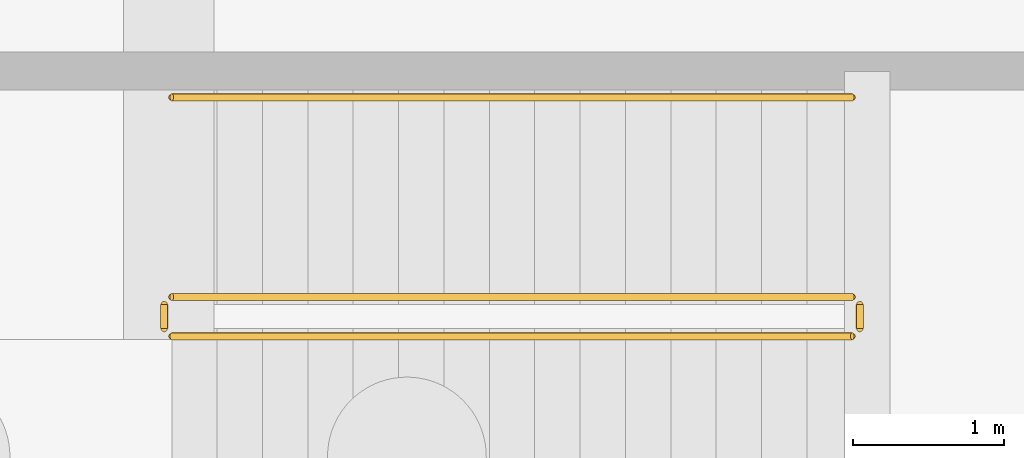
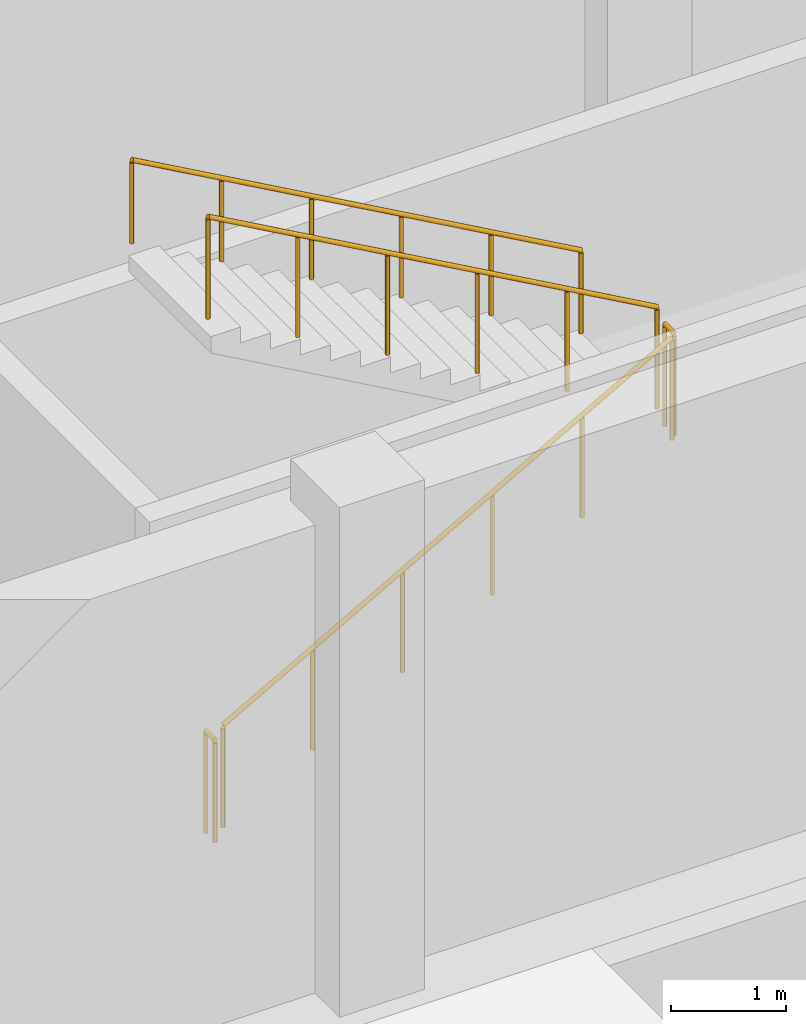
# One storey, part 22 of 23: 5 railings.
"""IFC4 building model written with IfcOpenShell, lengths in metres."""

from ifc_helpers import new_model, si_unit, direction, frame, origin, origin_2d, place, context, subcontext, project, spatial, circle, extrude, material, layer, layer_set, type_object, element, save


model = new_model("IFC4")

# Units and contexts
model_context = context("Model", 3, precision=1e-05, world=origin(), true_north=direction((0.0, 1.0)))
body_context = subcontext(model_context, "Body", "Model", "MODEL_VIEW")
ifc_project = project(units=[si_unit("LENGTHUNIT", "METRE"), si_unit("AREAUNIT", "SQUARE_METRE"), si_unit("VOLUMEUNIT", "CUBIC_METRE"), si_unit("PLANEANGLEUNIT", "RADIAN"), si_unit("MASSUNIT", "GRAM", prefix="KILO")], contexts=[model_context])

# Site, building, storey
site_placement = place(None, origin())
site = spatial("IfcSite", under=ifc_project, at=site_placement, CompositionType="ELEMENT")
building_placement = place(site_placement, origin())
building = spatial("IfcBuilding", under=site, at=building_placement, Name="Dornvale Research Institute", CompositionType="ELEMENT")
storey_placement = place(building_placement, frame((0.0, 0.0, -5.39990234375)))
storey = spatial("IfcBuildingStorey", under=building, at=storey_placement, Name="B1", CompositionType="ELEMENT", Elevation=-5.39990234375)

# Railings
ifc_material_1 = material(Name="Galvanized Painted Tubular Steel Stair Rail", Category="steel")
ifc_layer_1 = layer(ifc_material_1, 0.050048828125)
ifc_layer_set_1 = layer_set([ifc_layer_1], Name="Galvanized Painted Tubular Steel Stair Rail")
railing_type_1 = type_object("IfcRailingType", Name="Railing_Stair_Guard_1100", PredefinedType="GUARDRAIL", material=ifc_layer_set_1)
railing_1_placement = place(storey_placement, frame((165.02001953125, 94.77001953125, 0.168701171875)))
element("IfcRailing", 1, at=railing_1_placement, inside=storey, type_object=railing_type_1, Name="B1 ST-4 stair guard 1", PredefinedType="GUARDRAIL", context=body_context, shape_type="SweptSolid", body=[
    extrude(circle(Radius=0.02392578125, at=origin_2d()), frame((0.0, 0.0, 1.076171875), z_axis=(0.871575537125, 0.0, 0.490261239633), x_axis=(0.0, 1.0, 0.0)), (0.0, 0.0, 1.0), 5.1630859375),
    extrude(circle(Radius=0.02099609375, at=origin_2d()), origin(), (0.0, 0.0, 1.0), 1.052001953125),
    extrude(circle(Radius=0.02099609375, at=origin_2d()), frame((0.89990234375, 0.0, 0.50634765625)), (0.0, 0.0, 1.0), 1.052001953125),
    extrude(circle(Radius=0.02099609375, at=origin_2d()), frame((1.800048828125, 0.0, 1.012451171875)), (0.0, 0.0, 1.0), 1.052001953125),
    extrude(circle(Radius=0.02099609375, at=origin_2d()), frame((2.699951171875, 0.0, 1.518798828125)), (0.0, 0.0, 1.0), 1.052001953125),
    extrude(circle(Radius=0.02099609375, at=origin_2d()), frame((3.60009765625, 0.0, 2.02490234375)), (0.0, 0.0, 1.0), 1.052001953125),
    extrude(circle(Radius=0.02099609375, at=origin_2d()), frame((4.5, 0.0, 2.53125)), (0.0, 0.0, 1.0), 1.052001953125),
])
railing_2_placement = place(storey_placement, frame((169.570068359375, 94.820068359375, 2.699951171875)))
element("IfcRailing", 2, at=railing_2_placement, inside=storey, type_object=railing_type_1, Name="B1 ST-4 stair guard 2", PredefinedType="GUARDRAIL", context=body_context, shape_type="SweptSolid", body=[
    extrude(circle(Radius=0.02392578125, at=origin_2d()), frame((0.0, 0.0, 1.076171875), z_axis=(0.0, 1.0, 0.0), x_axis=(-1.0, 0.0, 0.0)), (0.0, 0.0, 1.0), 0.159912109375),
    extrude(circle(Radius=0.02099609375, at=origin_2d()), origin(), (0.0, 0.0, 1.0), 1.052001953125),
    extrude(circle(Radius=0.02099609375, at=origin_2d()), frame((0.0, 0.159912109375, 0.0)), (0.0, 0.0, 1.0), 1.052001953125),
])
railing_3_placement = place(storey_placement, frame((169.52001953125, 95.030029296875, 2.86865234375)))
element("IfcRailing", 3, at=railing_3_placement, inside=storey, type_object=railing_type_1, Name="B1 ST-4 stair guard 3", PredefinedType="GUARDRAIL", context=body_context, shape_type="SweptSolid", body=[
    extrude(circle(Radius=0.02392578125, at=origin_2d()), frame((0.0, 0.0, 1.076171875), z_axis=(-0.871575537125, 0.0, 0.490261239633), x_axis=(0.0, -1.0, 0.0)), (0.0, 0.0, 1.0), 5.1630859375),
    extrude(circle(Radius=0.02099609375, at=origin_2d()), origin(), (0.0, 0.0, 1.0), 1.052001953125),
    extrude(circle(Radius=0.02099609375, at=origin_2d()), frame((-0.89990234375, 0.0, 0.50634765625)), (0.0, 0.0, 1.0), 1.052001953125),
    extrude(circle(Radius=0.02099609375, at=origin_2d()), frame((-1.800048828125, 0.0, 1.012451171875)), (0.0, 0.0, 1.0), 1.052001953125),
    extrude(circle(Radius=0.02099609375, at=origin_2d()), frame((-2.699951171875, 0.0, 1.518798828125)), (0.0, 0.0, 1.0), 1.052001953125),
    extrude(circle(Radius=0.02099609375, at=origin_2d()), frame((-3.60009765625, 0.0, 2.02490234375)), (0.0, 0.0, 1.0), 1.052001953125),
    extrude(circle(Radius=0.02099609375, at=origin_2d()), frame((-4.5, 0.0, 2.53125)), (0.0, 0.0, 1.0), 1.052001953125),
])
railing_4_placement = place(storey_placement, frame((164.969970703125, 94.820068359375, 0.0)))
element("IfcRailing", 4, at=railing_4_placement, inside=storey, type_object=railing_type_1, Name="B1 ST-4 stair guard 4", PredefinedType="GUARDRAIL", context=body_context, shape_type="SweptSolid", body=[
    extrude(circle(Radius=0.02392578125, at=origin_2d()), frame((0.0, 0.0, 1.076171875), z_axis=(0.0, 1.0, 0.0), x_axis=(-1.0, 0.0, 0.0)), (0.0, 0.0, 1.0), 0.159912109375),
    extrude(circle(Radius=0.02099609375, at=origin_2d()), origin(), (0.0, 0.0, 1.0), 1.052001953125),
    extrude(circle(Radius=0.02099609375, at=origin_2d()), frame((0.0, 0.159912109375, 0.0)), (0.0, 0.0, 1.0), 1.052001953125),
])
ifc_material_2 = material(Name="Galvanized Painted Tubular Steel Stair Rail", Category="steel")
ifc_layer_2 = layer(ifc_material_2, 0.044921875)
ifc_layer_set_2 = layer_set([ifc_layer_2], Name="Galvanized Painted Tubular Steel Stair Rail")
railing_type_2 = type_object("IfcRailingType", Name="Railing_Stair_Handrail_900", PredefinedType="HANDRAIL", material=ifc_layer_set_2)
railing_5_placement = place(storey_placement, frame((169.52001953125, 96.35009765625, 2.86865234375)))
element("IfcRailing", 5, at=railing_5_placement, inside=storey, type_object=railing_type_2, Name="B1 ST-4 stair handrail 2", PredefinedType="HANDRAIL", context=body_context, shape_type="SweptSolid", body=[
    extrude(circle(Radius=0.02392578125, at=origin_2d()), frame((0.0, 0.0, 0.8759765625), z_axis=(-0.871575537125, 0.0, 0.490261239633), x_axis=(0.0, -1.0, 0.0)), (0.0, 0.0, 1.0), 5.1630859375),
    extrude(circle(Radius=0.02099609375, at=origin_2d()), origin(), (0.0, 0.0, 1.0), 0.851806640625),
    extrude(circle(Radius=0.02099609375, at=origin_2d()), frame((-0.89990234375, 0.0, 0.50634765625)), (0.0, 0.0, 1.0), 0.851806640625),
    extrude(circle(Radius=0.02099609375, at=origin_2d()), frame((-1.800048828125, 0.0, 1.012451171875)), (0.0, 0.0, 1.0), 0.851806640625),
    extrude(circle(Radius=0.02099609375, at=origin_2d()), frame((-2.699951171875, 0.0, 1.518798828125)), (0.0, 0.0, 1.0), 0.851806640625),
    extrude(circle(Radius=0.02099609375, at=origin_2d()), frame((-3.60009765625, 0.0, 2.02490234375)), (0.0, 0.0, 1.0), 0.851806640625),
    extrude(circle(Radius=0.02099609375, at=origin_2d()), frame((-4.5, 0.0, 2.53125)), (0.0, 0.0, 1.0), 0.851806640625),
])

save(model, "model.ifc")
